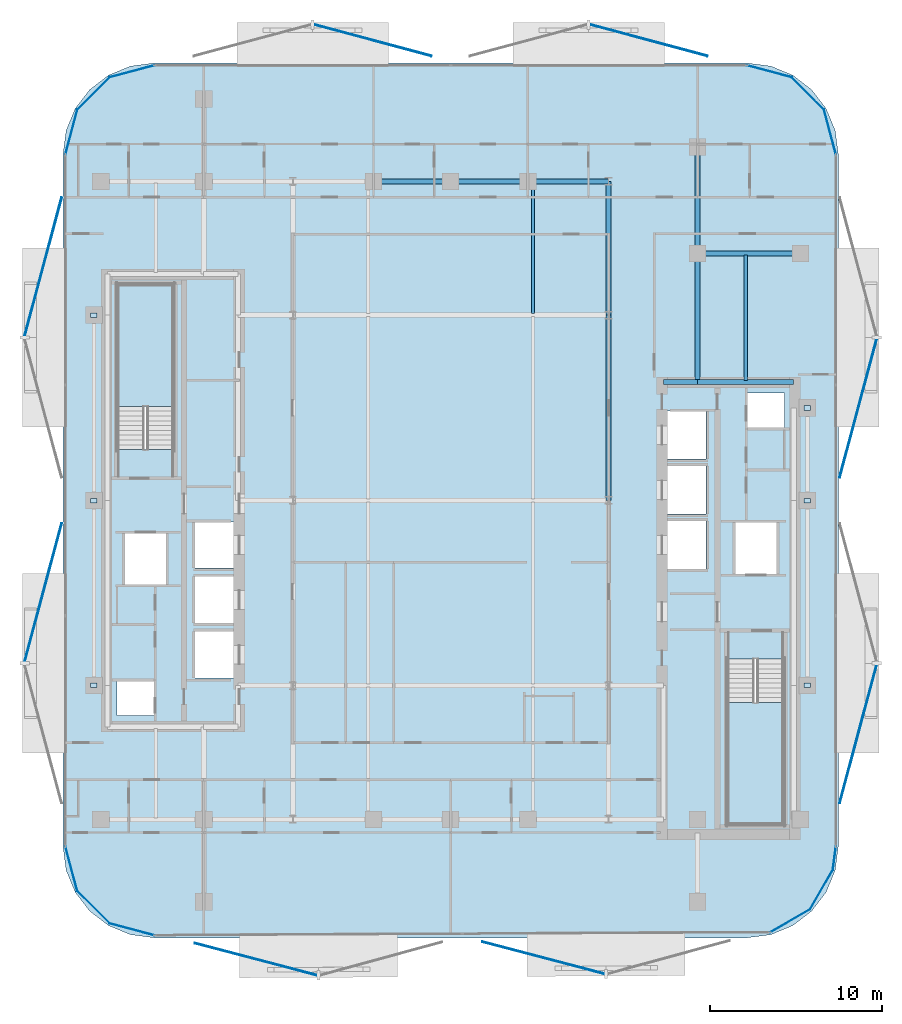
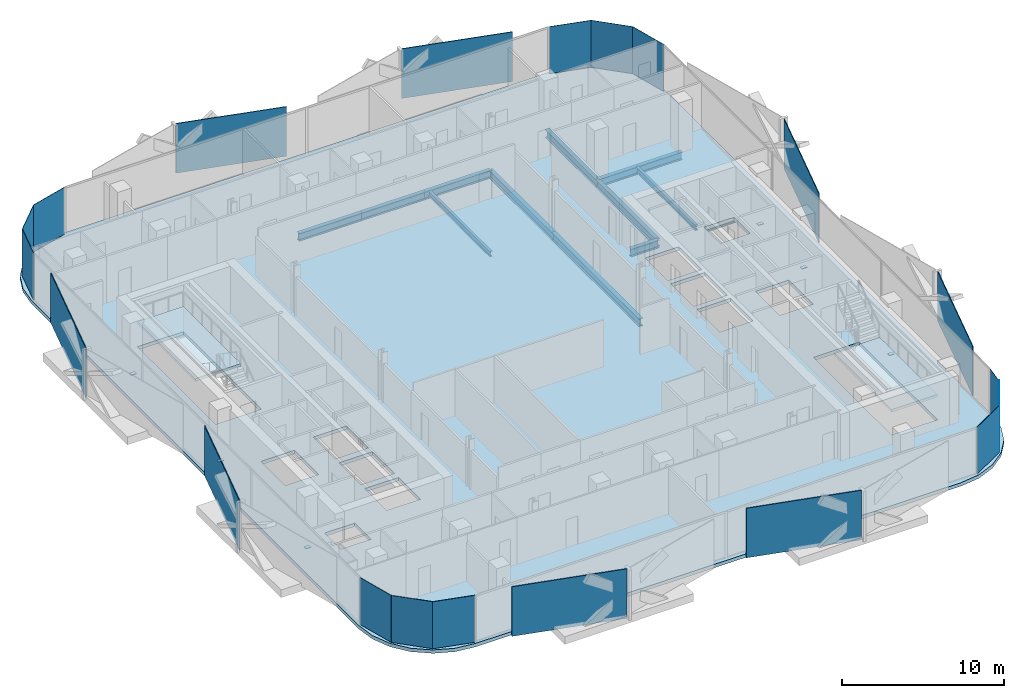
# One storey, part 2 of 17: 26 plates, 12 beams, 3 slabs, 2 elements without a shape of their own.
"""IFC4 building model written with IfcOpenShell, lengths in metres."""

from ifc_helpers import new_model, si_unit, direction, frame, origin, origin_2d, place, context, subcontext, project, spatial, polyline, rectangle, i_section, outline, extrude, material, layer, layer_set, material_profile, profile_set, type_object, element, aggregate, save


model = new_model("IFC4")

# Units and contexts
model_context = context("Model", 3, precision=1e-05, world=origin(), true_north=direction((0.0, 1.0)))
body_context = subcontext(model_context, "Body", "Model", "MODEL_VIEW")
ifc_project = project(units=[si_unit("LENGTHUNIT", "METRE"), si_unit("AREAUNIT", "SQUARE_METRE"), si_unit("VOLUMEUNIT", "CUBIC_METRE"), si_unit("PLANEANGLEUNIT", "RADIAN"), si_unit("MASSUNIT", "GRAM", prefix="KILO")], contexts=[model_context])

# Site, building, storey
site_placement = place(None, origin())
site = spatial("IfcSite", under=ifc_project, at=site_placement, CompositionType="ELEMENT")
building_placement = place(site_placement, origin())
building = spatial("IfcBuilding", under=site, at=building_placement, Name="Khairoan Windgate Tower", CompositionType="ELEMENT")
storey_placement = place(building_placement, frame((0.0, 0.0, 165.0)))
storey = spatial("IfcBuildingStorey", under=building, at=storey_placement, Name="L37", CompositionType="ELEMENT", Elevation=165.0)

# Beams
ifc_material_1 = material(Name="Steel S355", Category="steel")
ifc_material_profile_1 = material_profile(ifc_material_1, i_section(OverallWidth=0.300048828125, OverallDepth=0.587890625, WebThickness=0.011962890625, FlangeThickness=0.02001953125, FilletRadius=0.02392578125, at=origin_2d()))
ifc_profile_set_1 = profile_set([ifc_material_profile_1], Name="Steel S355")
beam_type_1 = type_object("IfcBeamType", Name="Beam B-G4 H588x300x12x20", PredefinedType="BEAM", material=ifc_profile_set_1)
beam_1_placement = place(storey_placement, frame((12.39990234375, 6.89990234375, -0.553955078125), z_axis=(1.0, 0.0, 0.0), x_axis=(0.0, 1.0, 0.0)))
element("IfcBeam", 1, at=beam_1_placement, inside=storey, type_object=beam_type_1, Name="L37 E-W Primary Girder 15", PredefinedType="BEAM", context=body_context, shape_type="SweptSolid", body=[
    extrude(i_section(OverallWidth=0.300048828125, OverallDepth=0.587890625, WebThickness=0.011962890625, FlangeThickness=0.02001953125, FilletRadius=0.02392578125, at=origin_2d()), origin(), (0.0, 0.0, 1.0), 2.0),
])
beam_2_placement = place(storey_placement, frame((14.39990234375, 6.89990234375, -0.553955078125), z_axis=(1.0, 0.0, 0.0), x_axis=(0.0, 1.0, 0.0)))
element("IfcBeam", 2, at=beam_2_placement, inside=storey, type_object=beam_type_1, Name="L37 E-W Primary Girder 16", PredefinedType="BEAM", context=body_context, shape_type="SweptSolid", body=[
    extrude(i_section(OverallWidth=0.300048828125, OverallDepth=0.587890625, WebThickness=0.011962890625, FlangeThickness=0.02001953125, FilletRadius=0.02392578125, at=origin_2d()), origin(), (0.0, 0.0, 1.0), 5.60009765625),
])
beam_3_placement = place(storey_placement, frame((14.39990234375, 14.39990234375, -0.553955078125), z_axis=(1.0, 0.0, 0.0), x_axis=(0.0, 1.0, 0.0)))
element("IfcBeam", 3, at=beam_3_placement, inside=storey, type_object=beam_type_1, Name="L37 E-W Primary Girder 21", PredefinedType="BEAM", context=body_context, shape_type="SweptSolid", body=[
    extrude(i_section(OverallWidth=0.300048828125, OverallDepth=0.587890625, WebThickness=0.011962890625, FlangeThickness=0.02001953125, FilletRadius=0.02392578125, at=origin_2d()), origin(), (0.0, 0.0, 1.0), 6.0),
])
for number, where, z_axis, x_axis, name in (
    (4, (-4.5, 18.60009765625, -0.553955078125), (1.0, 0.0, 0.0), (0.0, 1.0, 0.0), "L37 E-W Primary Girder 25"),
    (5, (0.0, 18.60009765625, -0.553955078125), (1.0, 0.0, 0.0), (0.0, 1.0, 0.0), "L37 E-W Primary Girder 26"),
):
    element("IfcBeam", number, at=place(storey_placement, frame(where, z_axis=z_axis, x_axis=x_axis)), inside=storey, type_object=beam_type_1, Name=name, PredefinedType="BEAM", context=body_context, shape_type="SweptSolid", body=[
        extrude(i_section(OverallWidth=0.300048828125, OverallDepth=0.587890625, WebThickness=0.011962890625, FlangeThickness=0.02001953125, FilletRadius=0.02392578125, at=origin_2d()), origin(), (0.0, 0.0, 1.0), 4.5),
    ])
beam_4_placement = place(storey_placement, frame((4.5, 18.60009765625, -0.553955078125), z_axis=(1.0, 0.0, 0.0), x_axis=(0.0, 1.0, 0.0)))
element("IfcBeam", 6, at=beam_4_placement, inside=storey, type_object=beam_type_1, Name="L37 E-W Primary Girder 27", PredefinedType="BEAM", context=body_context, shape_type="SweptSolid", body=[
    extrude(i_section(OverallWidth=0.300048828125, OverallDepth=0.587890625, WebThickness=0.011962890625, FlangeThickness=0.02001953125, FilletRadius=0.02392578125, at=origin_2d()), origin(), (0.0, 0.0, 1.0), 4.699951171875),
])
beam_5_placement = place(storey_placement, frame((9.199951171875, 0.0, -0.553955078125), z_axis=(0.0, 1.0, 0.0), x_axis=(-1.0, 0.0, 0.0)))
element("IfcBeam", 7, at=beam_5_placement, inside=storey, type_object=beam_type_1, Name="L37 N-S Primary Beam 47", PredefinedType="BEAM", context=body_context, shape_type="SweptSolid", body=[
    extrude(i_section(OverallWidth=0.300048828125, OverallDepth=0.587890625, WebThickness=0.011962890625, FlangeThickness=0.02001953125, FilletRadius=0.02392578125, at=origin_2d()), origin(), (0.0, 0.0, 1.0), 10.800048828125),
])
beam_6_placement = place(storey_placement, frame((9.199951171875, 10.800048828125, -0.553955078125), z_axis=(0.0, 1.0, 0.0), x_axis=(-1.0, 0.0, 0.0)))
element("IfcBeam", 8, at=beam_6_placement, inside=storey, type_object=beam_type_1, Name="L37 N-S Primary Beam 48", PredefinedType="BEAM", context=body_context, shape_type="SweptSolid", body=[
    extrude(i_section(OverallWidth=0.300048828125, OverallDepth=0.587890625, WebThickness=0.011962890625, FlangeThickness=0.02001953125, FilletRadius=0.02392578125, at=origin_2d()), origin(), (0.0, 0.0, 1.0), 7.800048828125),
])
beam_7_placement = place(storey_placement, frame((14.39990234375, 6.89990234375, -0.553955078125), z_axis=(0.0, 1.0, 0.0), x_axis=(-1.0, 0.0, 0.0)))
element("IfcBeam", 9, at=beam_7_placement, inside=storey, type_object=beam_type_1, Name="L37 N-S Primary Beam 51", PredefinedType="BEAM", context=body_context, shape_type="SweptSolid", body=[
    extrude(i_section(OverallWidth=0.300048828125, OverallDepth=0.587890625, WebThickness=0.011962890625, FlangeThickness=0.02001953125, FilletRadius=0.02392578125, at=origin_2d()), origin(), (0.0, 0.0, 1.0), 7.5),
])
beam_8_placement = place(storey_placement, frame((14.39990234375, 14.39990234375, -0.553955078125), z_axis=(0.0, 1.0, 0.0), x_axis=(-1.0, 0.0, 0.0)))
element("IfcBeam", 10, at=beam_8_placement, inside=storey, type_object=beam_type_1, Name="L37 N-S Primary Beam 52", PredefinedType="BEAM", context=body_context, shape_type="SweptSolid", body=[
    extrude(i_section(OverallWidth=0.300048828125, OverallDepth=0.587890625, WebThickness=0.011962890625, FlangeThickness=0.02001953125, FilletRadius=0.02392578125, at=origin_2d()), origin(), (0.0, 0.0, 1.0), 6.2001953125),
])
ifc_material_2 = material(Name="Steel S355", Category="steel")
ifc_material_profile_2 = material_profile(ifc_material_2, i_section(OverallWidth=0.199951171875, OverallDepth=0.39990234375, WebThickness=0.008056640625, FlangeThickness=0.012939453125, FilletRadius=0.01611328125, at=origin_2d()))
ifc_profile_set_2 = profile_set([ifc_material_profile_2], Name="Steel S355")
beam_type_2 = type_object("IfcBeamType", Name="Beam J-S4 H400x200x8x13", PredefinedType="JOIST", material=ifc_profile_set_2)
beam_9_placement = place(storey_placement, frame((4.800048828125, 10.889892578125, -0.4599609375), z_axis=(0.0, 1.0, 0.0), x_axis=(-1.0, 0.0, 0.0)))
element("IfcBeam", 11, at=beam_9_placement, inside=storey, type_object=beam_type_2, Name="L37 Secondary Floor Joist 10", PredefinedType="JOIST", context=body_context, shape_type="SweptSolid", body=[
    extrude(i_section(OverallWidth=0.199951171875, OverallDepth=0.39990234375, WebThickness=0.008056640625, FlangeThickness=0.012939453125, FilletRadius=0.01611328125, at=origin_2d()), origin(), (0.0, 0.0, 1.0), 7.6201171875),
])
beam_10_placement = place(storey_placement, frame((17.199951171875, 6.989990234375, -0.4599609375), z_axis=(0.0, 1.0, 0.0), x_axis=(-1.0, 0.0, 0.0)))
element("IfcBeam", 12, at=beam_10_placement, inside=storey, type_object=beam_type_2, Name="L37 Secondary Floor Joist 11", PredefinedType="JOIST", context=body_context, shape_type="SweptSolid", body=[
    extrude(i_section(OverallWidth=0.199951171875, OverallDepth=0.39990234375, WebThickness=0.008056640625, FlangeThickness=0.012939453125, FilletRadius=0.01611328125, at=origin_2d()), origin(), (0.0, 0.0, 1.0), 7.320068359375),
])

# Plates
ifc_material_3 = material(Name="Low-E Solar Control Laminated Glass", Category="glass")
ifc_layer_1 = layer(ifc_material_3, 0.030029296875, Name="Low-E Solar Control Laminated Glass")
ifc_layer_set_1 = layer_set([ifc_layer_1], Name="Low-E Solar Control Laminated Glass")
plate_type_1 = type_object("IfcPlateType", Name="Aerodynamic Wind-Corner Curved Glazing Plate", PredefinedType="USERDEFINED", material=ifc_layer_set_1)
plate_1_placement = place(storey_placement, frame((-18.585205078125, -25.013916015625, 0.0), z_axis=(0.0, 0.0, 1.0), x_axis=(-0.966061211211, 0.258313252067, 0.0)))
element("IfcPlate", 13, at=plate_1_placement, inside=storey, type_object=plate_type_1, Name="L37 Aerodynamic Wind-Corner Curved Glazing Panel 2", ObjectType="GLAZING PANEL", PredefinedType="USERDEFINED", context=body_context, shape_type="SweptSolid", body=[
    extrude(rectangle(XDim=2.719482421875, YDim=0.030029296875, at=origin_2d()), origin(), (0.0, 0.0, 1.0), 3.5400390625),
])
plate_2_placement = place(storey_placement, frame((-20.823486328125, -23.723388671875, 0.0), z_axis=(0.0, 0.0, 1.0), x_axis=(-0.707106781187, 0.707106781187, 0.0)))
element("IfcPlate", 14, at=plate_2_placement, inside=storey, type_object=plate_type_1, Name="L37 Aerodynamic Wind-Corner Curved Glazing Panel 3", ObjectType="GLAZING PANEL", PredefinedType="USERDEFINED", context=body_context, shape_type="SweptSolid", body=[
    extrude(rectangle(XDim=2.710205078125, YDim=0.030029296875, at=origin_2d()), origin(), (0.0, 0.0, 1.0), 3.5400390625),
])
for number, where, z_axis, x_axis, name in (
    (15, (-22.11376953125, -21.485107421875, 0.0), (0.0, 0.0, 1.0), (-0.258313252067, 0.966061211211, 0.0), "L37 Aerodynamic Wind-Corner Curved Glazing Panel 4"),
    (16, (-22.11376953125, 21.485107421875, 0.0), (0.0, 0.0, 1.0), (0.258313252067, 0.966061211211, 0.0), "L37 Aerodynamic Wind-Corner Curved Glazing Panel 6"),
):
    element("IfcPlate", number, at=place(storey_placement, frame(where, z_axis=z_axis, x_axis=x_axis)), inside=storey, type_object=plate_type_1, Name=name, ObjectType="GLAZING PANEL", PredefinedType="USERDEFINED", context=body_context, shape_type="SweptSolid", body=[
        extrude(rectangle(XDim=2.719482421875, YDim=0.030029296875, at=origin_2d()), origin(), (0.0, 0.0, 1.0), 3.5400390625),
    ])
plate_3_placement = place(storey_placement, frame((-20.823486328125, 23.723388671875, 0.0), z_axis=(0.0, 0.0, 1.0), x_axis=(0.707106781187, 0.707106781187, 0.0)))
element("IfcPlate", 17, at=plate_3_placement, inside=storey, type_object=plate_type_1, Name="L37 Aerodynamic Wind-Corner Curved Glazing Panel 7", ObjectType="GLAZING PANEL", PredefinedType="USERDEFINED", context=body_context, shape_type="SweptSolid", body=[
    extrude(rectangle(XDim=2.710205078125, YDim=0.030029296875, at=origin_2d()), origin(), (0.0, 0.0, 1.0), 3.5400390625),
])
for number, where, z_axis, x_axis, name in (
    (18, (-18.585205078125, 25.013916015625, 0.0), (0.0, 0.0, 1.0), (0.966061211211, 0.258313252067, 0.0), "L37 Aerodynamic Wind-Corner Curved Glazing Panel 8"),
    (19, (18.585205078125, 25.013916015625, 0.0), (0.0, 0.0, 1.0), (0.966061211211, -0.258313252067, 0.0), "L37 Aerodynamic Wind-Corner Curved Glazing Panel 10"),
):
    element("IfcPlate", number, at=place(storey_placement, frame(where, z_axis=z_axis, x_axis=x_axis)), inside=storey, type_object=plate_type_1, Name=name, ObjectType="GLAZING PANEL", PredefinedType="USERDEFINED", context=body_context, shape_type="SweptSolid", body=[
        extrude(rectangle(XDim=2.719482421875, YDim=0.030029296875, at=origin_2d()), origin(), (0.0, 0.0, 1.0), 3.5400390625),
    ])
plate_4_placement = place(storey_placement, frame((20.823486328125, 23.723388671875, 0.0), z_axis=(0.0, 0.0, 1.0), x_axis=(0.707106781187, -0.707106781187, 0.0)))
element("IfcPlate", 20, at=plate_4_placement, inside=storey, type_object=plate_type_1, Name="L37 Aerodynamic Wind-Corner Curved Glazing Panel 11", ObjectType="GLAZING PANEL", PredefinedType="USERDEFINED", context=body_context, shape_type="SweptSolid", body=[
    extrude(rectangle(XDim=2.710205078125, YDim=0.030029296875, at=origin_2d()), origin(), (0.0, 0.0, 1.0), 3.5400390625),
])
plate_5_placement = place(storey_placement, frame((22.11376953125, 21.485107421875, 0.0), z_axis=(0.0, 0.0, 1.0), x_axis=(0.258313252067, -0.966061211211, 0.0)))
element("IfcPlate", 21, at=plate_5_placement, inside=storey, type_object=plate_type_1, Name="L37 Aerodynamic Wind-Corner Curved Glazing Panel 12", ObjectType="GLAZING PANEL", PredefinedType="USERDEFINED", context=body_context, shape_type="SweptSolid", body=[
    extrude(rectangle(XDim=2.719482421875, YDim=0.030029296875, at=origin_2d()), origin(), (0.0, 0.0, 1.0), 3.5400390625),
])
plate_6_placement = place(storey_placement, frame((22.37158203125, -20.863037109375, 0.0), z_axis=(0.0, 0.0, 1.0), x_axis=(-0.13052619222, -0.991444861374, 0.0)))
element("IfcPlate", 22, at=plate_6_placement, inside=storey, type_object=plate_type_1, Name="L37 Aerodynamic Wind-Corner Curved Glazing Panel 14", ObjectType="GLAZING PANEL", PredefinedType="USERDEFINED", context=body_context, shape_type="SweptSolid", body=[
    extrude(rectangle(XDim=1.39599609375, YDim=0.030029296875, at=origin_2d()), origin(), (0.0, 0.0, 1.0), 3.5400390625),
])
for number, where, z_axis, x_axis, name in (
    (23, (21.615478515625, -22.69140625, 0.0), (0.0, 0.0, 1.0), (-0.5, -0.866025403784, 0.0), "L37 Aerodynamic Wind-Corner Curved Glazing Panel 15"),
    (24, (19.79150390625, -24.515380859375, 0.0), (0.0, 0.0, 1.0), (-0.866025403784, -0.5, 0.0), "L37 Aerodynamic Wind-Corner Curved Glazing Panel 16"),
):
    element("IfcPlate", number, at=place(storey_placement, frame(where, z_axis=z_axis, x_axis=x_axis)), inside=storey, type_object=plate_type_1, Name=name, ObjectType="GLAZING PANEL", PredefinedType="USERDEFINED", context=body_context, shape_type="SweptSolid", body=[
        extrude(rectangle(XDim=2.71044921875, YDim=0.030029296875, at=origin_2d()), origin(), (0.0, 0.0, 1.0), 3.5400390625),
    ])
ifc_material_4 = material(Name="Steel S355", Category="steel")
ifc_layer_2 = layer(ifc_material_4, 0.0400390625, Name="Steel S355")
ifc_layer_set_2 = layer_set([ifc_layer_2], Name="Steel S355")
plate_type_2 = type_object("IfcPlateType", Name="Hollow Section End-Cap Plate PL-CAP40", PredefinedType="SHEET", material=ifc_layer_set_2)
for number, where, z_axis, x_axis, name in (
    (25, (-20.800048828125, -10.784912109375, -0.455078125), (0.0, 0.0, 1.0), (0.0, 1.0, 0.0), "BM-SP-L37-028 steel end-cap plate 1"),
    (26, (-20.800048828125, -0.014892578125, -0.455078125), (0.0, 0.0, 1.0), (0.0, 1.0, 0.0), "BM-SP-L37-028 steel end-cap plate 2"),
    (27, (-20.800048828125, 10.784912109375, -0.455078125), (0.0, 0.0, 1.0), (0.0, 1.0, 0.0), "BM-SP-L37-029 steel end-cap plate 2"),
    (28, (20.800048828125, -10.784912109375, -0.455078125), (0.0, 0.0, 1.0), (0.0, 1.0, 0.0), "BM-SP-L37-056 steel end-cap plate 1"),
    (29, (20.800048828125, -0.014892578125, -0.455078125), (0.0, 0.0, 1.0), (0.0, 1.0, 0.0), "BM-SP-L37-056 steel end-cap plate 2"),
    (30, (20.800048828125, 5.385009765625, -0.455078125), (0.0, 0.0, 1.0), (0.0, 1.0, 0.0), "BM-SP-L37-057 steel end-cap plate 2"),
):
    element("IfcPlate", number, at=place(storey_placement, frame(where, z_axis=z_axis, x_axis=x_axis)), inside=storey, type_object=plate_type_2, Name=name, PredefinedType="SHEET", context=body_context, shape_type="SweptSolid", body=[
        extrude(rectangle(XDim=0.27001953125, YDim=0.3701171875, at=origin_2d()), origin(), (0.0, 0.0, 1.0), 0.0400390625),
    ])
ifc_material_5 = material(Name="Anodised Bronze Aluminium 6063-T6", Category="aluminium")
ifc_layer_3 = layer(ifc_material_5, 0.054931640625, Name="Anodised Bronze Aluminium 6063-T6")
ifc_layer_set_3 = layer_set([ifc_layer_3], Name="Anodised Bronze Aluminium 6063-T6")
plate_type_3 = type_object("IfcPlateType", Name="Perforated Bronze Solar Screen Panel BSP-1", PredefinedType="USERDEFINED", material=ifc_layer_set_3)
for number, where, z_axis, x_axis, name in (
    (31, (5.408447265625, -26.673583984375, -0.10009765625), (0.0, 0.0, 1.0), (-0.967179115616, 0.254095569259, 0.0), "L37 Perforated Bronze Solar Screen Panel 233R"),
    (32, (-11.3544921875, -26.756103515625, -0.10009765625), (0.0, 0.0, 1.0), (-0.967179115616, 0.254095569259, 0.0), "L37 Perforated Bronze Solar Screen Panel 234R"),
):
    element("IfcPlate", number, at=place(storey_placement, frame(where, z_axis=z_axis, x_axis=x_axis)), inside=storey, type_object=plate_type_3, Name=name, ObjectType="SCREEN", PredefinedType="USERDEFINED", context=body_context, shape_type="SweptSolid", body=[
        extrude(rectangle(XDim=7.3759765625, YDim=0.054931640625, at=origin_2d()), origin(), (0.0, 0.0, 1.0), 3.739990234375),
    ])
for number, where, z_axis, x_axis, name in (
    (33, (-23.7587890625, -5.369873046875, -0.10009765625), (0.0, 0.0, 1.0), (0.258819045103, 0.965925826289, 0.0), "L37 Perforated Bronze Solar Screen Panel 235R"),
    (34, (-23.7587890625, 13.62109375, -0.10009765625), (0.0, 0.0, 1.0), (0.258819045103, 0.965925826289, 0.0), "L37 Perforated Bronze Solar Screen Panel 236R"),
):
    element("IfcPlate", number, at=place(storey_placement, frame(where, z_axis=z_axis, x_axis=x_axis)), inside=storey, type_object=plate_type_3, Name=name, ObjectType="SCREEN", PredefinedType="USERDEFINED", context=body_context, shape_type="SweptSolid", body=[
        extrude(rectangle(XDim=8.35595703125, YDim=0.054931640625, at=origin_2d()), origin(), (0.0, 0.0, 1.0), 3.739990234375),
    ])
for number, where, z_axis, x_axis, name in (
    (35, (-4.535888671875, 26.82373046875, -0.10009765625), (0.0, 0.0, 1.0), (0.965925826289, -0.258819045103, 0.0), "L37 Perforated Bronze Solar Screen Panel 237R"),
    (36, (11.5546875, 26.82373046875, -0.10009765625), (0.0, 0.0, 1.0), (0.965925826289, -0.258819045103, 0.0), "L37 Perforated Bronze Solar Screen Panel 238R"),
):
    element("IfcPlate", number, at=place(storey_placement, frame(where, z_axis=z_axis, x_axis=x_axis)), inside=storey, type_object=plate_type_3, Name=name, ObjectType="SCREEN", PredefinedType="USERDEFINED", context=body_context, shape_type="SweptSolid", body=[
        extrude(rectangle(XDim=7.080078125, YDim=0.054931640625, at=origin_2d()), origin(), (0.0, 0.0, 1.0), 3.739990234375),
    ])
for number, where, z_axis, x_axis, name in (
    (37, (23.7587890625, 5.369873046875, -0.10009765625), (0.0, 0.0, 1.0), (-0.258819045103, -0.965925826289, 0.0), "L37 Perforated Bronze Solar Screen Panel 239R"),
    (38, (23.7587890625, -13.62109375, -0.10009765625), (0.0, 0.0, 1.0), (-0.258819045103, -0.965925826289, 0.0), "L37 Perforated Bronze Solar Screen Panel 240R"),
):
    element("IfcPlate", number, at=place(storey_placement, frame(where, z_axis=z_axis, x_axis=x_axis)), inside=storey, type_object=plate_type_3, Name=name, ObjectType="SCREEN", PredefinedType="USERDEFINED", context=body_context, shape_type="SweptSolid", body=[
        extrude(rectangle(XDim=8.35595703125, YDim=0.054931640625, at=origin_2d()), origin(), (0.0, 0.0, 1.0), 3.739990234375),
    ])

# Stair, slab
ifc_material_6 = material(Name="Concrete C40/50", Category="concrete")
stair_type = type_object("IfcStairType", Name="Tower Core Dog-Leg Stair ST-T1 1560mm", PredefinedType="HALF_TURN_STAIR", material=ifc_material_6)
stair_1_placement = place(storey_placement, origin())
stair_1 = element("IfcStair", 39, at=stair_1_placement, inside=storey, type_object=stair_type, Name="L37 Stair ST1", PredefinedType="HALF_TURN_STAIR")
ifc_material_7 = material(Name="Concrete C40/50", Category="concrete")
ifc_layer_4 = layer(ifc_material_7, 0.199951171875, Name="Concrete C40/50")
ifc_layer_set_4 = layer_set([ifc_layer_4], Name="Concrete C40/50")
slab_type_1 = type_object("IfcSlabType", Name="Reinforced Concrete Stair Landing Slab STL-200", PredefinedType="LANDING", material=ifc_layer_set_4)
slab_1_placement = place(storey_placement, frame((0.0, 0.0, 1.699951171875)))
slab_1 = element("IfcSlab", 40, at=slab_1_placement, type_object=slab_type_1, Name="ST1 landing 1", PredefinedType="LANDING", context=body_context, shape_type="SweptSolid", body=[
    extrude(outline(polyline([(16.14990234375, -11.780029296875), (16.14990234375, -18.89990234375), (19.419921875, -18.89990234375), (19.419921875, -11.780029296875), (16.14990234375, -11.780029296875)])), origin(), (0.0, 0.0, 1.0), 0.199951171875),
])
aggregate(stair_1, [slab_1])

stair_2_placement = place(storey_placement, origin())
stair_2 = element("IfcStair", 41, at=stair_2_placement, inside=storey, type_object=stair_type, Name="L37 Stair ST2", PredefinedType="HALF_TURN_STAIR")
slab_2_placement = place(storey_placement, frame((0.0, 0.0, 1.699951171875)))
slab_2 = element("IfcSlab", 42, at=slab_2_placement, type_object=slab_type_1, Name="ST2 landing 1", PredefinedType="LANDING", context=body_context, shape_type="SweptSolid", body=[
    extrude(outline(polyline([(-16.14990234375, 5.47998046875), (-16.14990234375, 12.60009765625), (-19.419921875, 12.60009765625), (-19.419921875, 5.47998046875), (-16.14990234375, 5.47998046875)])), origin(), (0.0, 0.0, 1.0), 0.199951171875),
])
aggregate(stair_2, [slab_2])

# Slab
ifc_material_8 = material(Name="Concrete C40/50", Category="concrete")
ifc_layer_5 = layer(ifc_material_8, 0.260009765625, Name="Concrete C40/50")
ifc_layer_set_5 = layer_set([ifc_layer_5], Name="Concrete C40/50")
slab_type_2 = type_object("IfcSlabType", Name="Tower Composite Floor Slab FS2 260mm", PredefinedType="FLOOR", material=ifc_layer_set_5)
slab_3_placement = place(storey_placement, frame((0.0, 0.0, -0.260009765625)))
element("IfcSlab", 43, at=slab_3_placement, inside=storey, type_object=slab_type_2, Name="L37 Structural Floor Slab", PredefinedType="FLOOR", context=body_context, shape_type="SweptSolid", body=[
    extrude(outline(polyline([(17.300048828125, -25.5), (18.671630859375, -25.3193359375), (19.949951171875, -24.789794921875), (21.047607421875, -23.94775390625), (21.889892578125, -22.85009765625), (22.41943359375, -21.57177734375), (22.60009765625, -20.199951171875), (22.60009765625, 20.199951171875), (22.41943359375, 21.57177734375), (21.889892578125, 22.85009765625), (21.047607421875, 23.94775390625), (19.949951171875, 24.789794921875), (18.671630859375, 25.3193359375), (17.300048828125, 25.5), (-17.300048828125, 25.5), (-18.671630859375, 25.3193359375), (-19.949951171875, 24.789794921875), (-21.047607421875, 23.94775390625), (-21.889892578125, 22.85009765625), (-22.41943359375, 21.57177734375), (-22.60009765625, 20.199951171875), (-22.60009765625, -20.199951171875), (-22.41943359375, -21.57177734375), (-21.889892578125, -22.85009765625), (-21.047607421875, -23.94775390625), (-19.949951171875, -24.789794921875), (-18.671630859375, -25.3193359375), (-17.300048828125, -25.5), (17.300048828125, -25.5)]), holes=[polyline([(16.14990234375, -9.260009765625), (16.14990234375, -18.89990234375), (19.419921875, -18.89990234375), (19.419921875, -9.260009765625), (16.14990234375, -9.260009765625)]), polyline([(-16.14990234375, 2.9599609375), (-16.14990234375, 12.60009765625), (-19.419921875, 12.60009765625), (-19.419921875, 2.9599609375), (-16.14990234375, 2.9599609375)]), polyline([(-14.89990234375, -3.949951171875), (-12.5, -3.949951171875), (-12.5, -1.25), (-14.89990234375, -1.25), (-14.89990234375, -3.949951171875)]), polyline([(-14.89990234375, -7.14990234375), (-12.5, -7.14990234375), (-12.5, -4.449951171875), (-14.89990234375, -4.449951171875), (-14.89990234375, -7.14990234375)]), polyline([(-14.89990234375, -10.35009765625), (-12.5, -10.35009765625), (-12.5, -7.64990234375), (-14.89990234375, -7.64990234375), (-14.89990234375, -10.35009765625)]), polyline([(12.5, 2.39990234375), (14.89990234375, 2.39990234375), (14.89990234375, 5.199951171875), (12.5, 5.199951171875), (12.5, 2.39990234375)]), polyline([(12.5, -0.800048828125), (14.89990234375, -0.800048828125), (14.89990234375, 2.0), (12.5, 2.0), (12.5, -0.800048828125)]), polyline([(12.5, -4.0), (14.89990234375, -4.0), (14.89990234375, -1.199951171875), (12.5, -1.199951171875), (12.5, -4.0)]), polyline([(16.60009765625, -4.300048828125), (19.0, -4.300048828125), (19.0, -1.300048828125), (16.60009765625, -1.300048828125), (16.60009765625, -4.300048828125)]), polyline([(-19.0, -4.89990234375), (-16.60009765625, -4.89990234375), (-16.60009765625, -1.89990234375), (-19.0, -1.89990234375), (-19.0, -4.89990234375)]), polyline([(-19.449951171875, -12.550048828125), (-17.31005859375, -12.550048828125), (-17.31005859375, -10.550048828125), (-19.449951171875, -10.550048828125), (-19.449951171875, -12.550048828125)]), polyline([(17.31005859375, 4.25), (19.449951171875, 4.25), (19.449951171875, 6.25), (17.31005859375, 6.25), (17.31005859375, 4.25)])]), origin(), (0.0, 0.0, 1.0), 0.260009765625),
])

save(model, "model.ifc")
